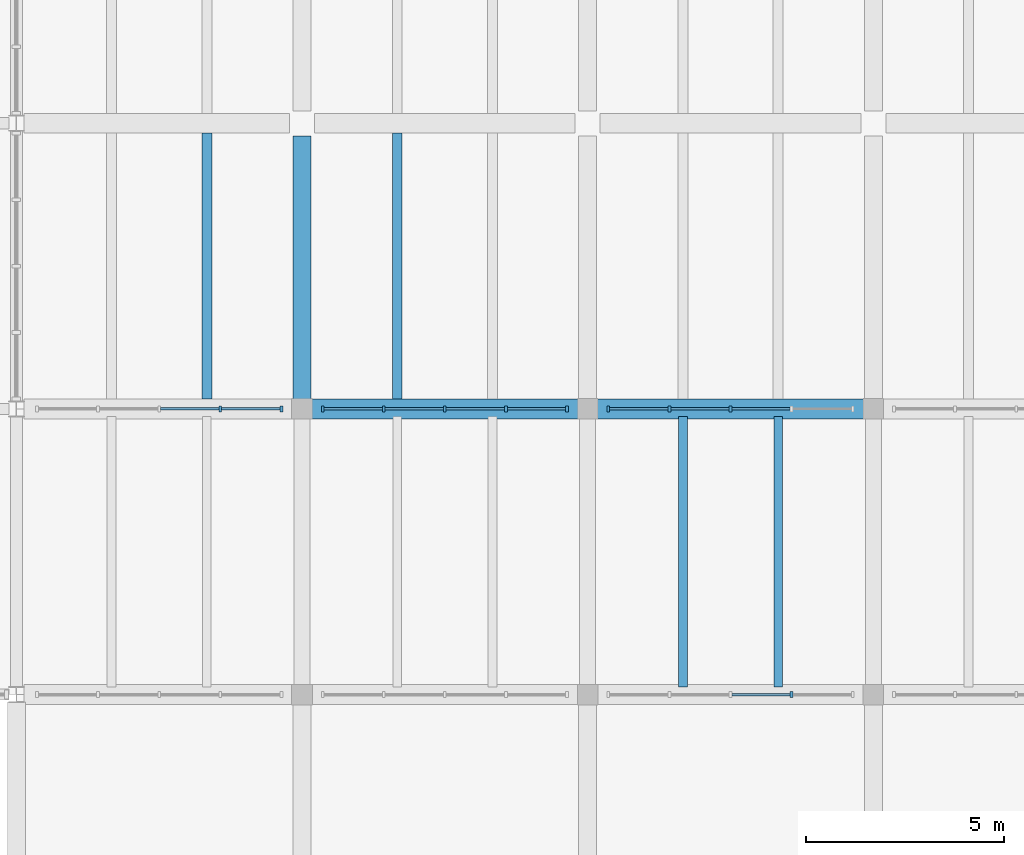
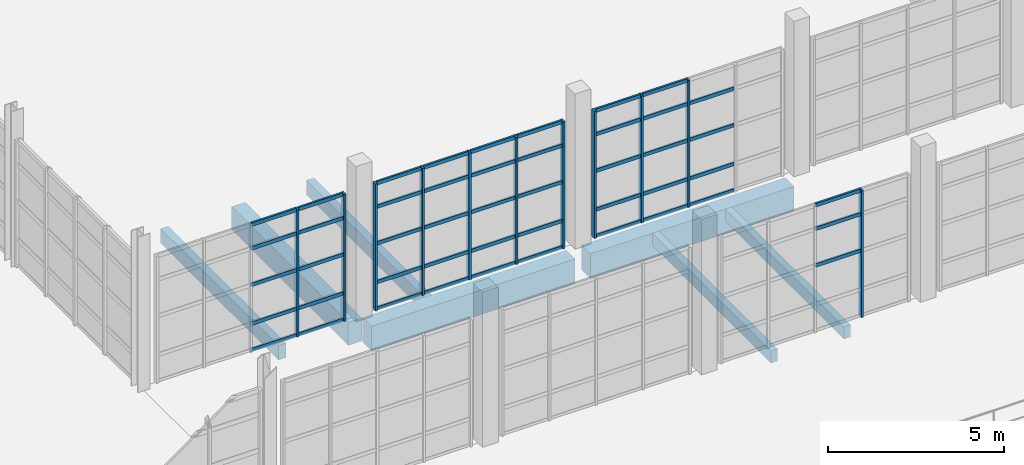
# One storey, part 29 of 79: 58 members, 7 beams, 4 elements without a shape of their own.
"""IFC4 building model written with IfcOpenShell, lengths in metres."""

from ifc_helpers import new_model, si_unit, direction, frame, origin, origin_2d, place, context, subcontext, project, spatial, rectangle, extrude, material, material_profile, profile_set, type_object, element, aggregate, save


model = new_model("IFC4")

# Units and contexts
model_context = context("Model", 3, precision=1e-05, world=origin(), true_north=direction((0.0, 1.0)))
body_context = subcontext(model_context, "Body", "Model", "MODEL_VIEW")
ifc_project = project(units=[si_unit("LENGTHUNIT", "METRE"), si_unit("AREAUNIT", "SQUARE_METRE"), si_unit("VOLUMEUNIT", "CUBIC_METRE"), si_unit("PLANEANGLEUNIT", "RADIAN"), si_unit("MASSUNIT", "GRAM", prefix="KILO")], contexts=[model_context])

# Site, building, storey
site_placement = place(None, origin())
site = spatial("IfcSite", under=ifc_project, at=site_placement, CompositionType="ELEMENT")
building_placement = place(site_placement, origin())
building = spatial("IfcBuilding", under=site, at=building_placement, Name="Qiaolan Assembly House", CompositionType="ELEMENT")
storey_placement = place(building_placement, origin())
storey = spatial("IfcBuildingStorey", under=building, at=storey_placement, Name="L00", CompositionType="ELEMENT", Elevation=0.0)

# Beams
ifc_material_1 = material(Name="Concrete C40/50", Category="concrete")
ifc_material_profile_1 = material_profile(ifc_material_1, rectangle(XDim=0.449951171875, YDim=0.800048828125, at=origin_2d()), Name="RCB 450x800")
ifc_profile_set_1 = profile_set([ifc_material_profile_1], Name="Concrete C40/50")
beam_type_1 = type_object("IfcBeamType", Name="BM-RC-450x800", PredefinedType="BEAM", material=ifc_profile_set_1)
beam_1_placement = place(storey_placement, frame((115.199951171875, 43.449951171875, -0.739990234375), z_axis=(0.0, 1.0, 0.0), x_axis=(-1.0, 0.0, 0.0)))
element("IfcBeam", 1, at=beam_1_placement, inside=storey, type_object=beam_type_1, Name="GB-03 beam BMY-CLCRT-L00-01-00", PredefinedType="BEAM", context=body_context, shape_type="SweptSolid", body=[
    extrude(rectangle(XDim=0.449951171875, YDim=0.800048828125, at=origin_2d()), origin(), (0.0, 0.0, 1.0), 6.635009765625),
])
ifc_material_2 = material(Name="Concrete C45/55", Category="concrete")
ifc_material_profile_2 = material_profile(ifc_material_2, rectangle(XDim=0.5, YDim=0.85009765625, at=origin_2d()), Name="RCB 500x850")
ifc_profile_set_2 = profile_set([ifc_material_profile_2], Name="Concrete C45/55")
beam_type_2 = type_object("IfcBeamType", Name="BM-RC-500x850", PredefinedType="BEAM", material=ifc_profile_set_2)
beam_2_placement = place(storey_placement, frame((115.449951171875, 43.199951171875, -0.764892578125), z_axis=(1.0, 0.0, 0.0), x_axis=(0.0, 1.0, 0.0)))
element("IfcBeam", 2, at=beam_2_placement, inside=storey, type_object=beam_type_2, Name="GB-02 beam BMX-CLCRT-L00-01-00", PredefinedType="BEAM", context=body_context, shape_type="SweptSolid", body=[
    extrude(rectangle(XDim=0.5, YDim=0.85009765625, at=origin_2d()), origin(), (0.0, 0.0, 1.0), 6.699951171875),
])
beam_3_placement = place(storey_placement, frame((122.64990234375, 43.199951171875, -0.764892578125), z_axis=(1.0, 0.0, 0.0), x_axis=(0.0, 1.0, 0.0)))
element("IfcBeam", 3, at=beam_3_placement, inside=storey, type_object=beam_type_2, Name="GB-02 beam BMX-CLCRT-L00-02-00", PredefinedType="BEAM", context=body_context, shape_type="SweptSolid", body=[
    extrude(rectangle(XDim=0.5, YDim=0.85009765625, at=origin_2d()), origin(), (0.0, 0.0, 1.0), 6.7001953125),
])

# Curtain wall, members
ifc_material_3 = material(Name="Anodised bronze aluminium", Category="aluminium")
curtain_wall_type = type_object("IfcCurtainWallType", Name="CW-CLOISTER-420", PredefinedType="NOTDEFINED", material=ifc_material_3)
curtain_wall_1_placement = place(storey_placement, origin())
curtain_wall_1 = element("IfcCurtainWall", 4, at=curtain_wall_1_placement, inside=storey, type_object=curtain_wall_type, Name="CW-05 South Cloister court arcade L00-1", PredefinedType="NOTDEFINED")
ifc_material_profile_3 = material_profile(ifc_material_3, rectangle(XDim=0.070068359375, YDim=0.155029296875, at=origin_2d()), Name="MUL 70x155")
ifc_profile_set_3 = profile_set([ifc_material_profile_3], Name="Anodised bronze aluminium")
member_type_1 = type_object("IfcMemberType", Name="CW-CLOISTER-420-MUL", PredefinedType="MULLION", material=ifc_profile_set_3)
member_1_placement = place(storey_placement, frame((114.679931640625, 43.199951171875, 0.0), z_axis=(0.0, 0.0, 1.0), x_axis=(-1.0, 0.0, 0.0)))
member_1 = element("IfcMember", 5, at=member_1_placement, type_object=member_type_1, Name="ML-06 mullion CW-CLS-CRT-L00-0-1", PredefinedType="MULLION", context=body_context, shape_type="SweptSolid", body=[
    extrude(rectangle(XDim=0.070068359375, YDim=0.155029296875, at=origin_2d()), origin(), (0.0, 0.0, 1.0), 4.419921875),
])
member_2_placement = place(storey_placement, frame((113.139892578125, 43.199951171875, 0.0), z_axis=(0.0, 0.0, 1.0), x_axis=(-1.0, 0.0, 0.0)))
member_2 = element("IfcMember", 6, at=member_2_placement, type_object=member_type_1, Name="ML-06 mullion CW-CLS-CRT-L00-0-2", PredefinedType="MULLION", context=body_context, shape_type="SweptSolid", body=[
    extrude(rectangle(XDim=0.070068359375, YDim=0.155029296875, at=origin_2d()), origin(), (0.0, 0.0, 1.0), 4.419921875),
])

curtain_wall_2_placement = place(storey_placement, origin())
curtain_wall_2 = element("IfcCurtainWall", 7, at=curtain_wall_2_placement, inside=storey, type_object=curtain_wall_type, Name="CW-05 South Cloister court arcade L00-2", PredefinedType="NOTDEFINED")
member_3_placement = place(storey_placement, frame((121.8798828125, 43.199951171875, 0.0), z_axis=(0.0, 0.0, 1.0), x_axis=(-1.0, 0.0, 0.0)))
member_3 = element("IfcMember", 8, at=member_3_placement, type_object=member_type_1, Name="ML-06 mullion CW-CLS-CRT-L00-1-1", PredefinedType="MULLION", context=body_context, shape_type="SweptSolid", body=[
    extrude(rectangle(XDim=0.070068359375, YDim=0.155029296875, at=origin_2d()), origin(), (0.0, 0.0, 1.0), 4.419921875),
])
member_4_placement = place(storey_placement, frame((120.340087890625, 43.199951171875, 0.0), z_axis=(0.0, 0.0, 1.0), x_axis=(-1.0, 0.0, 0.0)))
member_4 = element("IfcMember", 9, at=member_4_placement, type_object=member_type_1, Name="ML-06 mullion CW-CLS-CRT-L00-1-2", PredefinedType="MULLION", context=body_context, shape_type="SweptSolid", body=[
    extrude(rectangle(XDim=0.070068359375, YDim=0.155029296875, at=origin_2d()), origin(), (0.0, 0.0, 1.0), 4.419921875),
])
member_5_placement = place(storey_placement, frame((118.800048828125, 43.199951171875, 0.0), z_axis=(0.0, 0.0, 1.0), x_axis=(-1.0, 0.0, 0.0)))
member_5 = element("IfcMember", 10, at=member_5_placement, type_object=member_type_1, Name="ML-06 mullion CW-CLS-CRT-L00-1-3", PredefinedType="MULLION", context=body_context, shape_type="SweptSolid", body=[
    extrude(rectangle(XDim=0.070068359375, YDim=0.155029296875, at=origin_2d()), origin(), (0.0, 0.0, 1.0), 4.419921875),
])
member_6_placement = place(storey_placement, frame((117.260009765625, 43.199951171875, 0.0), z_axis=(0.0, 0.0, 1.0), x_axis=(-1.0, 0.0, 0.0)))
member_6 = element("IfcMember", 11, at=member_6_placement, type_object=member_type_1, Name="ML-06 mullion CW-CLS-CRT-L00-1-4", PredefinedType="MULLION", context=body_context, shape_type="SweptSolid", body=[
    extrude(rectangle(XDim=0.070068359375, YDim=0.155029296875, at=origin_2d()), origin(), (0.0, 0.0, 1.0), 4.419921875),
])
member_7_placement = place(storey_placement, frame((115.719970703125, 43.199951171875, 0.0), z_axis=(0.0, 0.0, 1.0), x_axis=(-1.0, 0.0, 0.0)))
member_7 = element("IfcMember", 12, at=member_7_placement, type_object=member_type_1, Name="ML-06 mullion CW-CLS-CRT-L00-1-5", PredefinedType="MULLION", context=body_context, shape_type="SweptSolid", body=[
    extrude(rectangle(XDim=0.070068359375, YDim=0.155029296875, at=origin_2d()), origin(), (0.0, 0.0, 1.0), 4.419921875),
])

# Curtain wall, member
curtain_wall_3_placement = place(storey_placement, origin())
curtain_wall_3 = element("IfcCurtainWall", 13, at=curtain_wall_3_placement, inside=storey, type_object=curtain_wall_type, Name="CW-05 South Cloister outer arcade L00-3", PredefinedType="NOTDEFINED")
member_8_placement = place(storey_placement, frame((127.5400390625, 36.0, 0.0), z_axis=(0.0, 0.0, 1.0), x_axis=(1.0, 0.0, 0.0)))
member_8 = element("IfcMember", 14, at=member_8_placement, type_object=member_type_1, Name="ML-06 mullion CW-CLS-OUT-L00-2-4", PredefinedType="MULLION", context=body_context, shape_type="SweptSolid", body=[
    extrude(rectangle(XDim=0.070068359375, YDim=0.155029296875, at=origin_2d()), origin(), (0.0, 0.0, 1.0), 4.419921875),
])

# Curtain wall, members
curtain_wall_4_placement = place(storey_placement, origin())
curtain_wall_4 = element("IfcCurtainWall", 15, at=curtain_wall_4_placement, inside=storey, type_object=curtain_wall_type, Name="CW-05 South Cloister court arcade L00-3", PredefinedType="NOTDEFINED")
member_9_placement = place(storey_placement, frame((126.0, 43.199951171875, 0.0), z_axis=(0.0, 0.0, 1.0), x_axis=(-1.0, 0.0, 0.0)))
member_9 = element("IfcMember", 16, at=member_9_placement, type_object=member_type_1, Name="ML-06 mullion CW-CLS-CRT-L00-2-3", PredefinedType="MULLION", context=body_context, shape_type="SweptSolid", body=[
    extrude(rectangle(XDim=0.070068359375, YDim=0.155029296875, at=origin_2d()), origin(), (0.0, 0.0, 1.0), 4.419921875),
])
member_10_placement = place(storey_placement, frame((124.4599609375, 43.199951171875, 0.0), z_axis=(0.0, 0.0, 1.0), x_axis=(-1.0, 0.0, 0.0)))
member_10 = element("IfcMember", 17, at=member_10_placement, type_object=member_type_1, Name="ML-06 mullion CW-CLS-CRT-L00-2-4", PredefinedType="MULLION", context=body_context, shape_type="SweptSolid", body=[
    extrude(rectangle(XDim=0.070068359375, YDim=0.155029296875, at=origin_2d()), origin(), (0.0, 0.0, 1.0), 4.419921875),
])
member_11_placement = place(storey_placement, frame((122.919921875, 43.199951171875, 0.0), z_axis=(0.0, 0.0, 1.0), x_axis=(-1.0, 0.0, 0.0)))
member_11 = element("IfcMember", 18, at=member_11_placement, type_object=member_type_1, Name="ML-06 mullion CW-CLS-CRT-L00-2-5", PredefinedType="MULLION", context=body_context, shape_type="SweptSolid", body=[
    extrude(rectangle(XDim=0.070068359375, YDim=0.155029296875, at=origin_2d()), origin(), (0.0, 0.0, 1.0), 4.419921875),
])

# Member
ifc_material_profile_4 = material_profile(ifc_material_3, rectangle(XDim=0.06201171875, YDim=0.125, at=origin_2d()), Name="TRN 62x125")
ifc_profile_set_4 = profile_set([ifc_material_profile_4], Name="Anodised bronze aluminium")
member_type_2 = type_object("IfcMemberType", Name="CW-CLOISTER-420-TRN", PredefinedType="USERDEFINED", material=ifc_profile_set_4)
member_12_placement = place(storey_placement, frame((114.64501953125, 43.199951171875, 0.030029296875), z_axis=(-1.0, 0.0, 0.0), x_axis=(0.0, -1.0, 0.0)))
member_12 = element("IfcMember", 19, at=member_12_placement, type_object=member_type_2, Name="TR-06 transom CW-CLS-CRT-L00-0-1-1", ObjectType="TRANSOM", PredefinedType="USERDEFINED", context=body_context, shape_type="SweptSolid", body=[
    extrude(rectangle(XDim=0.06201171875, YDim=0.125, at=origin_2d()), origin(), (0.0, 0.0, 1.0), 1.469970703125),
])

member_13_placement = place(storey_placement, frame((114.64501953125, 43.199951171875, 0.949951171875), z_axis=(-1.0, 0.0, 0.0), x_axis=(0.0, -1.0, 0.0)))
member_13 = element("IfcMember", 20, at=member_13_placement, type_object=member_type_2, Name="TR-06 transom CW-CLS-CRT-L00-0-1-2", ObjectType="TRANSOM", PredefinedType="USERDEFINED", context=body_context, shape_type="SweptSolid", body=[
    extrude(rectangle(XDim=0.06201171875, YDim=0.125, at=origin_2d()), origin(), (0.0, 0.0, 1.0), 1.469970703125),
])

member_14_placement = place(storey_placement, frame((114.64501953125, 43.199951171875, 2.29833984375), z_axis=(-1.0, 0.0, 0.0), x_axis=(0.0, -1.0, 0.0)))
member_14 = element("IfcMember", 21, at=member_14_placement, type_object=member_type_2, Name="TR-06 transom CW-CLS-CRT-L00-0-1-3", ObjectType="TRANSOM", PredefinedType="USERDEFINED", context=body_context, shape_type="SweptSolid", body=[
    extrude(rectangle(XDim=0.06201171875, YDim=0.125, at=origin_2d()), origin(), (0.0, 0.0, 1.0), 1.469970703125),
])

member_15_placement = place(storey_placement, frame((114.64501953125, 43.199951171875, 3.570068359375), z_axis=(-1.0, 0.0, 0.0), x_axis=(0.0, -1.0, 0.0)))
member_15 = element("IfcMember", 22, at=member_15_placement, type_object=member_type_2, Name="TR-06 transom CW-CLS-CRT-L00-0-1-4", ObjectType="TRANSOM", PredefinedType="USERDEFINED", context=body_context, shape_type="SweptSolid", body=[
    extrude(rectangle(XDim=0.06201171875, YDim=0.125, at=origin_2d()), origin(), (0.0, 0.0, 1.0), 1.469970703125),
])

member_16_placement = place(storey_placement, frame((114.64501953125, 43.199951171875, 4.389892578125), z_axis=(-1.0, 0.0, 0.0), x_axis=(0.0, -1.0, 0.0)))
member_16 = element("IfcMember", 23, at=member_16_placement, type_object=member_type_2, Name="TR-06 transom CW-CLS-CRT-L00-0-1-5", ObjectType="TRANSOM", PredefinedType="USERDEFINED", context=body_context, shape_type="SweptSolid", body=[
    extrude(rectangle(XDim=0.06201171875, YDim=0.125, at=origin_2d()), origin(), (0.0, 0.0, 1.0), 1.469970703125),
])

member_17_placement = place(storey_placement, frame((113.10498046875, 43.199951171875, 0.030029296875), z_axis=(-1.0, 0.0, 0.0), x_axis=(0.0, -1.0, 0.0)))
member_17 = element("IfcMember", 24, at=member_17_placement, type_object=member_type_2, Name="TR-06 transom CW-CLS-CRT-L00-0-2-1", ObjectType="TRANSOM", PredefinedType="USERDEFINED", context=body_context, shape_type="SweptSolid", body=[
    extrude(rectangle(XDim=0.06201171875, YDim=0.125, at=origin_2d()), origin(), (0.0, 0.0, 1.0), 1.469970703125),
])

member_18_placement = place(storey_placement, frame((113.10498046875, 43.199951171875, 0.949951171875), z_axis=(-1.0, 0.0, 0.0), x_axis=(0.0, -1.0, 0.0)))
member_18 = element("IfcMember", 25, at=member_18_placement, type_object=member_type_2, Name="TR-06 transom CW-CLS-CRT-L00-0-2-2", ObjectType="TRANSOM", PredefinedType="USERDEFINED", context=body_context, shape_type="SweptSolid", body=[
    extrude(rectangle(XDim=0.06201171875, YDim=0.125, at=origin_2d()), origin(), (0.0, 0.0, 1.0), 1.469970703125),
])

member_19_placement = place(storey_placement, frame((113.10498046875, 43.199951171875, 2.29833984375), z_axis=(-1.0, 0.0, 0.0), x_axis=(0.0, -1.0, 0.0)))
member_19 = element("IfcMember", 26, at=member_19_placement, type_object=member_type_2, Name="TR-06 transom CW-CLS-CRT-L00-0-2-3", ObjectType="TRANSOM", PredefinedType="USERDEFINED", context=body_context, shape_type="SweptSolid", body=[
    extrude(rectangle(XDim=0.06201171875, YDim=0.125, at=origin_2d()), origin(), (0.0, 0.0, 1.0), 1.469970703125),
])

member_20_placement = place(storey_placement, frame((113.10498046875, 43.199951171875, 3.570068359375), z_axis=(-1.0, 0.0, 0.0), x_axis=(0.0, -1.0, 0.0)))
member_20 = element("IfcMember", 27, at=member_20_placement, type_object=member_type_2, Name="TR-06 transom CW-CLS-CRT-L00-0-2-4", ObjectType="TRANSOM", PredefinedType="USERDEFINED", context=body_context, shape_type="SweptSolid", body=[
    extrude(rectangle(XDim=0.06201171875, YDim=0.125, at=origin_2d()), origin(), (0.0, 0.0, 1.0), 1.469970703125),
])

member_21_placement = place(storey_placement, frame((113.10498046875, 43.199951171875, 4.389892578125), z_axis=(-1.0, 0.0, 0.0), x_axis=(0.0, -1.0, 0.0)))
member_21 = element("IfcMember", 28, at=member_21_placement, type_object=member_type_2, Name="TR-06 transom CW-CLS-CRT-L00-0-2-5", ObjectType="TRANSOM", PredefinedType="USERDEFINED", context=body_context, shape_type="SweptSolid", body=[
    extrude(rectangle(XDim=0.06201171875, YDim=0.125, at=origin_2d()), origin(), (0.0, 0.0, 1.0), 1.469970703125),
])

aggregate(curtain_wall_1, [member_1, member_2, member_12, member_13, member_14, member_15, member_16, member_17, member_18, member_19, member_20, member_21])

member_22_placement = place(storey_placement, frame((121.844970703125, 43.199951171875, 0.030029296875), z_axis=(-1.0, 0.0, 0.0), x_axis=(0.0, -1.0, 0.0)))
member_22 = element("IfcMember", 29, at=member_22_placement, type_object=member_type_2, Name="TR-06 transom CW-CLS-CRT-L00-1-1-1", ObjectType="TRANSOM", PredefinedType="USERDEFINED", context=body_context, shape_type="SweptSolid", body=[
    extrude(rectangle(XDim=0.06201171875, YDim=0.125, at=origin_2d()), origin(), (0.0, 0.0, 1.0), 1.469970703125),
])

member_23_placement = place(storey_placement, frame((121.844970703125, 43.199951171875, 0.949951171875), z_axis=(-1.0, 0.0, 0.0), x_axis=(0.0, -1.0, 0.0)))
member_23 = element("IfcMember", 30, at=member_23_placement, type_object=member_type_2, Name="TR-06 transom CW-CLS-CRT-L00-1-1-2", ObjectType="TRANSOM", PredefinedType="USERDEFINED", context=body_context, shape_type="SweptSolid", body=[
    extrude(rectangle(XDim=0.06201171875, YDim=0.125, at=origin_2d()), origin(), (0.0, 0.0, 1.0), 1.469970703125),
])

member_24_placement = place(storey_placement, frame((121.844970703125, 43.199951171875, 2.29833984375), z_axis=(-1.0, 0.0, 0.0), x_axis=(0.0, -1.0, 0.0)))
member_24 = element("IfcMember", 31, at=member_24_placement, type_object=member_type_2, Name="TR-06 transom CW-CLS-CRT-L00-1-1-3", ObjectType="TRANSOM", PredefinedType="USERDEFINED", context=body_context, shape_type="SweptSolid", body=[
    extrude(rectangle(XDim=0.06201171875, YDim=0.125, at=origin_2d()), origin(), (0.0, 0.0, 1.0), 1.469970703125),
])

member_25_placement = place(storey_placement, frame((121.844970703125, 43.199951171875, 3.570068359375), z_axis=(-1.0, 0.0, 0.0), x_axis=(0.0, -1.0, 0.0)))
member_25 = element("IfcMember", 32, at=member_25_placement, type_object=member_type_2, Name="TR-06 transom CW-CLS-CRT-L00-1-1-4", ObjectType="TRANSOM", PredefinedType="USERDEFINED", context=body_context, shape_type="SweptSolid", body=[
    extrude(rectangle(XDim=0.06201171875, YDim=0.125, at=origin_2d()), origin(), (0.0, 0.0, 1.0), 1.469970703125),
])

member_26_placement = place(storey_placement, frame((121.844970703125, 43.199951171875, 4.389892578125), z_axis=(-1.0, 0.0, 0.0), x_axis=(0.0, -1.0, 0.0)))
member_26 = element("IfcMember", 33, at=member_26_placement, type_object=member_type_2, Name="TR-06 transom CW-CLS-CRT-L00-1-1-5", ObjectType="TRANSOM", PredefinedType="USERDEFINED", context=body_context, shape_type="SweptSolid", body=[
    extrude(rectangle(XDim=0.06201171875, YDim=0.125, at=origin_2d()), origin(), (0.0, 0.0, 1.0), 1.469970703125),
])

member_27_placement = place(storey_placement, frame((120.304931640625, 43.199951171875, 0.030029296875), z_axis=(-1.0, 0.0, 0.0), x_axis=(0.0, -1.0, 0.0)))
member_27 = element("IfcMember", 34, at=member_27_placement, type_object=member_type_2, Name="TR-06 transom CW-CLS-CRT-L00-1-2-1", ObjectType="TRANSOM", PredefinedType="USERDEFINED", context=body_context, shape_type="SweptSolid", body=[
    extrude(rectangle(XDim=0.06201171875, YDim=0.125, at=origin_2d()), origin(), (0.0, 0.0, 1.0), 1.469970703125),
])

member_28_placement = place(storey_placement, frame((120.304931640625, 43.199951171875, 0.949951171875), z_axis=(-1.0, 0.0, 0.0), x_axis=(0.0, -1.0, 0.0)))
member_28 = element("IfcMember", 35, at=member_28_placement, type_object=member_type_2, Name="TR-06 transom CW-CLS-CRT-L00-1-2-2", ObjectType="TRANSOM", PredefinedType="USERDEFINED", context=body_context, shape_type="SweptSolid", body=[
    extrude(rectangle(XDim=0.06201171875, YDim=0.125, at=origin_2d()), origin(), (0.0, 0.0, 1.0), 1.469970703125),
])

member_29_placement = place(storey_placement, frame((120.304931640625, 43.199951171875, 2.29833984375), z_axis=(-1.0, 0.0, 0.0), x_axis=(0.0, -1.0, 0.0)))
member_29 = element("IfcMember", 36, at=member_29_placement, type_object=member_type_2, Name="TR-06 transom CW-CLS-CRT-L00-1-2-3", ObjectType="TRANSOM", PredefinedType="USERDEFINED", context=body_context, shape_type="SweptSolid", body=[
    extrude(rectangle(XDim=0.06201171875, YDim=0.125, at=origin_2d()), origin(), (0.0, 0.0, 1.0), 1.469970703125),
])

member_30_placement = place(storey_placement, frame((120.304931640625, 43.199951171875, 3.570068359375), z_axis=(-1.0, 0.0, 0.0), x_axis=(0.0, -1.0, 0.0)))
member_30 = element("IfcMember", 37, at=member_30_placement, type_object=member_type_2, Name="TR-06 transom CW-CLS-CRT-L00-1-2-4", ObjectType="TRANSOM", PredefinedType="USERDEFINED", context=body_context, shape_type="SweptSolid", body=[
    extrude(rectangle(XDim=0.06201171875, YDim=0.125, at=origin_2d()), origin(), (0.0, 0.0, 1.0), 1.469970703125),
])

member_31_placement = place(storey_placement, frame((120.304931640625, 43.199951171875, 4.389892578125), z_axis=(-1.0, 0.0, 0.0), x_axis=(0.0, -1.0, 0.0)))
member_31 = element("IfcMember", 38, at=member_31_placement, type_object=member_type_2, Name="TR-06 transom CW-CLS-CRT-L00-1-2-5", ObjectType="TRANSOM", PredefinedType="USERDEFINED", context=body_context, shape_type="SweptSolid", body=[
    extrude(rectangle(XDim=0.06201171875, YDim=0.125, at=origin_2d()), origin(), (0.0, 0.0, 1.0), 1.469970703125),
])

member_32_placement = place(storey_placement, frame((118.764892578125, 43.199951171875, 0.030029296875), z_axis=(-1.0, 0.0, 0.0), x_axis=(0.0, -1.0, 0.0)))
member_32 = element("IfcMember", 39, at=member_32_placement, type_object=member_type_2, Name="TR-06 transom CW-CLS-CRT-L00-1-3-1", ObjectType="TRANSOM", PredefinedType="USERDEFINED", context=body_context, shape_type="SweptSolid", body=[
    extrude(rectangle(XDim=0.06201171875, YDim=0.125, at=origin_2d()), origin(), (0.0, 0.0, 1.0), 1.469970703125),
])

member_33_placement = place(storey_placement, frame((118.764892578125, 43.199951171875, 0.949951171875), z_axis=(-1.0, 0.0, 0.0), x_axis=(0.0, -1.0, 0.0)))
member_33 = element("IfcMember", 40, at=member_33_placement, type_object=member_type_2, Name="TR-06 transom CW-CLS-CRT-L00-1-3-2", ObjectType="TRANSOM", PredefinedType="USERDEFINED", context=body_context, shape_type="SweptSolid", body=[
    extrude(rectangle(XDim=0.06201171875, YDim=0.125, at=origin_2d()), origin(), (0.0, 0.0, 1.0), 1.469970703125),
])

member_34_placement = place(storey_placement, frame((118.764892578125, 43.199951171875, 2.29833984375), z_axis=(-1.0, 0.0, 0.0), x_axis=(0.0, -1.0, 0.0)))
member_34 = element("IfcMember", 41, at=member_34_placement, type_object=member_type_2, Name="TR-06 transom CW-CLS-CRT-L00-1-3-3", ObjectType="TRANSOM", PredefinedType="USERDEFINED", context=body_context, shape_type="SweptSolid", body=[
    extrude(rectangle(XDim=0.06201171875, YDim=0.125, at=origin_2d()), origin(), (0.0, 0.0, 1.0), 1.469970703125),
])

member_35_placement = place(storey_placement, frame((118.764892578125, 43.199951171875, 3.570068359375), z_axis=(-1.0, 0.0, 0.0), x_axis=(0.0, -1.0, 0.0)))
member_35 = element("IfcMember", 42, at=member_35_placement, type_object=member_type_2, Name="TR-06 transom CW-CLS-CRT-L00-1-3-4", ObjectType="TRANSOM", PredefinedType="USERDEFINED", context=body_context, shape_type="SweptSolid", body=[
    extrude(rectangle(XDim=0.06201171875, YDim=0.125, at=origin_2d()), origin(), (0.0, 0.0, 1.0), 1.469970703125),
])

member_36_placement = place(storey_placement, frame((118.764892578125, 43.199951171875, 4.389892578125), z_axis=(-1.0, 0.0, 0.0), x_axis=(0.0, -1.0, 0.0)))
member_36 = element("IfcMember", 43, at=member_36_placement, type_object=member_type_2, Name="TR-06 transom CW-CLS-CRT-L00-1-3-5", ObjectType="TRANSOM", PredefinedType="USERDEFINED", context=body_context, shape_type="SweptSolid", body=[
    extrude(rectangle(XDim=0.06201171875, YDim=0.125, at=origin_2d()), origin(), (0.0, 0.0, 1.0), 1.469970703125),
])

member_37_placement = place(storey_placement, frame((117.22509765625, 43.199951171875, 0.030029296875), z_axis=(-1.0, 0.0, 0.0), x_axis=(0.0, -1.0, 0.0)))
member_37 = element("IfcMember", 44, at=member_37_placement, type_object=member_type_2, Name="TR-06 transom CW-CLS-CRT-L00-1-4-1", ObjectType="TRANSOM", PredefinedType="USERDEFINED", context=body_context, shape_type="SweptSolid", body=[
    extrude(rectangle(XDim=0.06201171875, YDim=0.125, at=origin_2d()), origin(), (0.0, 0.0, 1.0), 1.47021484375),
])

member_38_placement = place(storey_placement, frame((117.22509765625, 43.199951171875, 0.949951171875), z_axis=(-1.0, 0.0, 0.0), x_axis=(0.0, -1.0, 0.0)))
member_38 = element("IfcMember", 45, at=member_38_placement, type_object=member_type_2, Name="TR-06 transom CW-CLS-CRT-L00-1-4-2", ObjectType="TRANSOM", PredefinedType="USERDEFINED", context=body_context, shape_type="SweptSolid", body=[
    extrude(rectangle(XDim=0.06201171875, YDim=0.125, at=origin_2d()), origin(), (0.0, 0.0, 1.0), 1.47021484375),
])

member_39_placement = place(storey_placement, frame((117.22509765625, 43.199951171875, 2.29833984375), z_axis=(-1.0, 0.0, 0.0), x_axis=(0.0, -1.0, 0.0)))
member_39 = element("IfcMember", 46, at=member_39_placement, type_object=member_type_2, Name="TR-06 transom CW-CLS-CRT-L00-1-4-3", ObjectType="TRANSOM", PredefinedType="USERDEFINED", context=body_context, shape_type="SweptSolid", body=[
    extrude(rectangle(XDim=0.06201171875, YDim=0.125, at=origin_2d()), origin(), (0.0, 0.0, 1.0), 1.47021484375),
])

member_40_placement = place(storey_placement, frame((117.22509765625, 43.199951171875, 3.570068359375), z_axis=(-1.0, 0.0, 0.0), x_axis=(0.0, -1.0, 0.0)))
member_40 = element("IfcMember", 47, at=member_40_placement, type_object=member_type_2, Name="TR-06 transom CW-CLS-CRT-L00-1-4-4", ObjectType="TRANSOM", PredefinedType="USERDEFINED", context=body_context, shape_type="SweptSolid", body=[
    extrude(rectangle(XDim=0.06201171875, YDim=0.125, at=origin_2d()), origin(), (0.0, 0.0, 1.0), 1.47021484375),
])

member_41_placement = place(storey_placement, frame((117.22509765625, 43.199951171875, 4.389892578125), z_axis=(-1.0, 0.0, 0.0), x_axis=(0.0, -1.0, 0.0)))
member_41 = element("IfcMember", 48, at=member_41_placement, type_object=member_type_2, Name="TR-06 transom CW-CLS-CRT-L00-1-4-5", ObjectType="TRANSOM", PredefinedType="USERDEFINED", context=body_context, shape_type="SweptSolid", body=[
    extrude(rectangle(XDim=0.06201171875, YDim=0.125, at=origin_2d()), origin(), (0.0, 0.0, 1.0), 1.47021484375),
])

aggregate(curtain_wall_2, [member_3, member_4, member_5, member_6, member_7, member_22, member_23, member_24, member_25, member_26, member_27, member_28, member_29, member_30, member_31, member_32, member_33, member_34, member_35, member_36, member_37, member_38, member_39, member_40, member_41])

member_42_placement = place(storey_placement, frame((126.034912109375, 36.0, 2.29833984375), z_axis=(1.0, 0.0, 0.0), x_axis=(0.0, 1.0, 0.0)))
member_42 = element("IfcMember", 49, at=member_42_placement, type_object=member_type_2, Name="TR-06 transom CW-CLS-OUT-L00-2-3-3", ObjectType="TRANSOM", PredefinedType="USERDEFINED", context=body_context, shape_type="SweptSolid", body=[
    extrude(rectangle(XDim=0.06201171875, YDim=0.125, at=origin_2d()), origin(), (0.0, 0.0, 1.0), 1.469970703125),
])

member_43_placement = place(storey_placement, frame((126.034912109375, 36.0, 3.570068359375), z_axis=(1.0, 0.0, 0.0), x_axis=(0.0, 1.0, 0.0)))
member_43 = element("IfcMember", 50, at=member_43_placement, type_object=member_type_2, Name="TR-06 transom CW-CLS-OUT-L00-2-3-4", ObjectType="TRANSOM", PredefinedType="USERDEFINED", context=body_context, shape_type="SweptSolid", body=[
    extrude(rectangle(XDim=0.06201171875, YDim=0.125, at=origin_2d()), origin(), (0.0, 0.0, 1.0), 1.469970703125),
])

member_44_placement = place(storey_placement, frame((126.034912109375, 36.0, 4.389892578125), z_axis=(1.0, 0.0, 0.0), x_axis=(0.0, 1.0, 0.0)))
member_44 = element("IfcMember", 51, at=member_44_placement, type_object=member_type_2, Name="TR-06 transom CW-CLS-OUT-L00-2-3-5", ObjectType="TRANSOM", PredefinedType="USERDEFINED", context=body_context, shape_type="SweptSolid", body=[
    extrude(rectangle(XDim=0.06201171875, YDim=0.125, at=origin_2d()), origin(), (0.0, 0.0, 1.0), 1.469970703125),
])

aggregate(curtain_wall_3, [member_8, member_42, member_43, member_44])

member_45_placement = place(storey_placement, frame((127.5048828125, 43.199951171875, 0.030029296875), z_axis=(-1.0, 0.0, 0.0), x_axis=(0.0, -1.0, 0.0)))
member_45 = element("IfcMember", 52, at=member_45_placement, type_object=member_type_2, Name="TR-06 transom CW-CLS-CRT-L00-2-2-1", ObjectType="TRANSOM", PredefinedType="USERDEFINED", context=body_context, shape_type="SweptSolid", body=[
    extrude(rectangle(XDim=0.06201171875, YDim=0.125, at=origin_2d()), origin(), (0.0, 0.0, 1.0), 1.469970703125),
])

member_46_placement = place(storey_placement, frame((127.5048828125, 43.199951171875, 0.949951171875), z_axis=(-1.0, 0.0, 0.0), x_axis=(0.0, -1.0, 0.0)))
member_46 = element("IfcMember", 53, at=member_46_placement, type_object=member_type_2, Name="TR-06 transom CW-CLS-CRT-L00-2-2-2", ObjectType="TRANSOM", PredefinedType="USERDEFINED", context=body_context, shape_type="SweptSolid", body=[
    extrude(rectangle(XDim=0.06201171875, YDim=0.125, at=origin_2d()), origin(), (0.0, 0.0, 1.0), 1.469970703125),
])

member_47_placement = place(storey_placement, frame((127.5048828125, 43.199951171875, 2.29833984375), z_axis=(-1.0, 0.0, 0.0), x_axis=(0.0, -1.0, 0.0)))
member_47 = element("IfcMember", 54, at=member_47_placement, type_object=member_type_2, Name="TR-06 transom CW-CLS-CRT-L00-2-2-3", ObjectType="TRANSOM", PredefinedType="USERDEFINED", context=body_context, shape_type="SweptSolid", body=[
    extrude(rectangle(XDim=0.06201171875, YDim=0.125, at=origin_2d()), origin(), (0.0, 0.0, 1.0), 1.469970703125),
])

member_48_placement = place(storey_placement, frame((127.5048828125, 43.199951171875, 3.570068359375), z_axis=(-1.0, 0.0, 0.0), x_axis=(0.0, -1.0, 0.0)))
member_48 = element("IfcMember", 55, at=member_48_placement, type_object=member_type_2, Name="TR-06 transom CW-CLS-CRT-L00-2-2-4", ObjectType="TRANSOM", PredefinedType="USERDEFINED", context=body_context, shape_type="SweptSolid", body=[
    extrude(rectangle(XDim=0.06201171875, YDim=0.125, at=origin_2d()), origin(), (0.0, 0.0, 1.0), 1.469970703125),
])

member_49_placement = place(storey_placement, frame((125.965087890625, 43.199951171875, 0.030029296875), z_axis=(-1.0, 0.0, 0.0), x_axis=(0.0, -1.0, 0.0)))
member_49 = element("IfcMember", 56, at=member_49_placement, type_object=member_type_2, Name="TR-06 transom CW-CLS-CRT-L00-2-3-1", ObjectType="TRANSOM", PredefinedType="USERDEFINED", context=body_context, shape_type="SweptSolid", body=[
    extrude(rectangle(XDim=0.06201171875, YDim=0.125, at=origin_2d()), origin(), (0.0, 0.0, 1.0), 1.469970703125),
])

member_50_placement = place(storey_placement, frame((125.965087890625, 43.199951171875, 0.949951171875), z_axis=(-1.0, 0.0, 0.0), x_axis=(0.0, -1.0, 0.0)))
member_50 = element("IfcMember", 57, at=member_50_placement, type_object=member_type_2, Name="TR-06 transom CW-CLS-CRT-L00-2-3-2", ObjectType="TRANSOM", PredefinedType="USERDEFINED", context=body_context, shape_type="SweptSolid", body=[
    extrude(rectangle(XDim=0.06201171875, YDim=0.125, at=origin_2d()), origin(), (0.0, 0.0, 1.0), 1.469970703125),
])

member_51_placement = place(storey_placement, frame((125.965087890625, 43.199951171875, 2.29833984375), z_axis=(-1.0, 0.0, 0.0), x_axis=(0.0, -1.0, 0.0)))
member_51 = element("IfcMember", 58, at=member_51_placement, type_object=member_type_2, Name="TR-06 transom CW-CLS-CRT-L00-2-3-3", ObjectType="TRANSOM", PredefinedType="USERDEFINED", context=body_context, shape_type="SweptSolid", body=[
    extrude(rectangle(XDim=0.06201171875, YDim=0.125, at=origin_2d()), origin(), (0.0, 0.0, 1.0), 1.469970703125),
])

member_52_placement = place(storey_placement, frame((125.965087890625, 43.199951171875, 3.570068359375), z_axis=(-1.0, 0.0, 0.0), x_axis=(0.0, -1.0, 0.0)))
member_52 = element("IfcMember", 59, at=member_52_placement, type_object=member_type_2, Name="TR-06 transom CW-CLS-CRT-L00-2-3-4", ObjectType="TRANSOM", PredefinedType="USERDEFINED", context=body_context, shape_type="SweptSolid", body=[
    extrude(rectangle(XDim=0.06201171875, YDim=0.125, at=origin_2d()), origin(), (0.0, 0.0, 1.0), 1.469970703125),
])

member_53_placement = place(storey_placement, frame((125.965087890625, 43.199951171875, 4.389892578125), z_axis=(-1.0, 0.0, 0.0), x_axis=(0.0, -1.0, 0.0)))
member_53 = element("IfcMember", 60, at=member_53_placement, type_object=member_type_2, Name="TR-06 transom CW-CLS-CRT-L00-2-3-5", ObjectType="TRANSOM", PredefinedType="USERDEFINED", context=body_context, shape_type="SweptSolid", body=[
    extrude(rectangle(XDim=0.06201171875, YDim=0.125, at=origin_2d()), origin(), (0.0, 0.0, 1.0), 1.469970703125),
])

member_54_placement = place(storey_placement, frame((124.425048828125, 43.199951171875, 0.030029296875), z_axis=(-1.0, 0.0, 0.0), x_axis=(0.0, -1.0, 0.0)))
member_54 = element("IfcMember", 61, at=member_54_placement, type_object=member_type_2, Name="TR-06 transom CW-CLS-CRT-L00-2-4-1", ObjectType="TRANSOM", PredefinedType="USERDEFINED", context=body_context, shape_type="SweptSolid", body=[
    extrude(rectangle(XDim=0.06201171875, YDim=0.125, at=origin_2d()), origin(), (0.0, 0.0, 1.0), 1.469970703125),
])

member_55_placement = place(storey_placement, frame((124.425048828125, 43.199951171875, 0.949951171875), z_axis=(-1.0, 0.0, 0.0), x_axis=(0.0, -1.0, 0.0)))
member_55 = element("IfcMember", 62, at=member_55_placement, type_object=member_type_2, Name="TR-06 transom CW-CLS-CRT-L00-2-4-2", ObjectType="TRANSOM", PredefinedType="USERDEFINED", context=body_context, shape_type="SweptSolid", body=[
    extrude(rectangle(XDim=0.06201171875, YDim=0.125, at=origin_2d()), origin(), (0.0, 0.0, 1.0), 1.469970703125),
])

member_56_placement = place(storey_placement, frame((124.425048828125, 43.199951171875, 2.29833984375), z_axis=(-1.0, 0.0, 0.0), x_axis=(0.0, -1.0, 0.0)))
member_56 = element("IfcMember", 63, at=member_56_placement, type_object=member_type_2, Name="TR-06 transom CW-CLS-CRT-L00-2-4-3", ObjectType="TRANSOM", PredefinedType="USERDEFINED", context=body_context, shape_type="SweptSolid", body=[
    extrude(rectangle(XDim=0.06201171875, YDim=0.125, at=origin_2d()), origin(), (0.0, 0.0, 1.0), 1.469970703125),
])

member_57_placement = place(storey_placement, frame((124.425048828125, 43.199951171875, 3.570068359375), z_axis=(-1.0, 0.0, 0.0), x_axis=(0.0, -1.0, 0.0)))
member_57 = element("IfcMember", 64, at=member_57_placement, type_object=member_type_2, Name="TR-06 transom CW-CLS-CRT-L00-2-4-4", ObjectType="TRANSOM", PredefinedType="USERDEFINED", context=body_context, shape_type="SweptSolid", body=[
    extrude(rectangle(XDim=0.06201171875, YDim=0.125, at=origin_2d()), origin(), (0.0, 0.0, 1.0), 1.469970703125),
])

member_58_placement = place(storey_placement, frame((124.425048828125, 43.199951171875, 4.389892578125), z_axis=(-1.0, 0.0, 0.0), x_axis=(0.0, -1.0, 0.0)))
member_58 = element("IfcMember", 65, at=member_58_placement, type_object=member_type_2, Name="TR-06 transom CW-CLS-CRT-L00-2-4-5", ObjectType="TRANSOM", PredefinedType="USERDEFINED", context=body_context, shape_type="SweptSolid", body=[
    extrude(rectangle(XDim=0.06201171875, YDim=0.125, at=origin_2d()), origin(), (0.0, 0.0, 1.0), 1.469970703125),
])

aggregate(curtain_wall_4, [member_9, member_10, member_11, member_45, member_46, member_47, member_48, member_49, member_50, member_51, member_52, member_53, member_54, member_55, member_56, member_57, member_58])

# Beams
ifc_material_profile_5 = material_profile(ifc_material_1, rectangle(XDim=0.219970703125, YDim=0.419921875, at=origin_2d()), Name="RCB 220x420")
ifc_profile_set_5 = profile_set([ifc_material_profile_5], Name="Concrete C40/50")
beam_type_3 = type_object("IfcBeamType", Name="JST-RC-220x420", PredefinedType="JOIST", material=ifc_profile_set_5)
for number, where, z_axis, x_axis, name in (
    (66, (124.800048828125, 36.194091796875, -0.550048828125), (0.0, 1.0, 0.0), (-1.0, 0.0, 0.0), "RJ-03 beam JST-CLS-L00-02-00-1"),
    (67, (127.199951171875, 36.194091796875, -0.550048828125), (0.0, 1.0, 0.0), (-1.0, 0.0, 0.0), "RJ-03 beam JST-CLS-L00-02-00-2"),
):
    element("IfcBeam", number, at=place(storey_placement, frame(where, z_axis=z_axis, x_axis=x_axis)), inside=storey, type_object=beam_type_3, Name=name, PredefinedType="JOIST", context=body_context, shape_type="SweptSolid", body=[
        extrude(rectangle(XDim=0.219970703125, YDim=0.419921875, at=origin_2d()), origin(), (0.0, 0.0, 1.0), 6.81201171875),
    ])
ifc_material_profile_6 = material_profile(ifc_material_1, rectangle(XDim=0.25, YDim=0.5, at=origin_2d()), Name="RCB 250x500")
ifc_profile_set_6 = profile_set([ifc_material_profile_6], Name="Concrete C40/50")
beam_type_4 = type_object("IfcBeamType", Name="JST-RC-250x500", PredefinedType="JOIST", material=ifc_profile_set_6)
for number, where, z_axis, x_axis, name in (
    (68, (112.800048828125, 43.444091796875, -0.590087890625), (0.0, 1.0, 0.0), (-1.0, 0.0, 0.0), "RJ-01 beam JST-CLCRT-L00-00-00-2"),
    (69, (117.60009765625, 43.444091796875, -0.590087890625), (0.0, 1.0, 0.0), (-1.0, 0.0, 0.0), "RJ-01 beam JST-CLCRT-L00-01-00-1"),
):
    element("IfcBeam", number, at=place(storey_placement, frame(where, z_axis=z_axis, x_axis=x_axis)), inside=storey, type_object=beam_type_4, Name=name, PredefinedType="JOIST", context=body_context, shape_type="SweptSolid", body=[
        extrude(rectangle(XDim=0.25, YDim=0.5, at=origin_2d()), origin(), (0.0, 0.0, 1.0), 6.7119140625),
    ])

save(model, "model.ifc")
